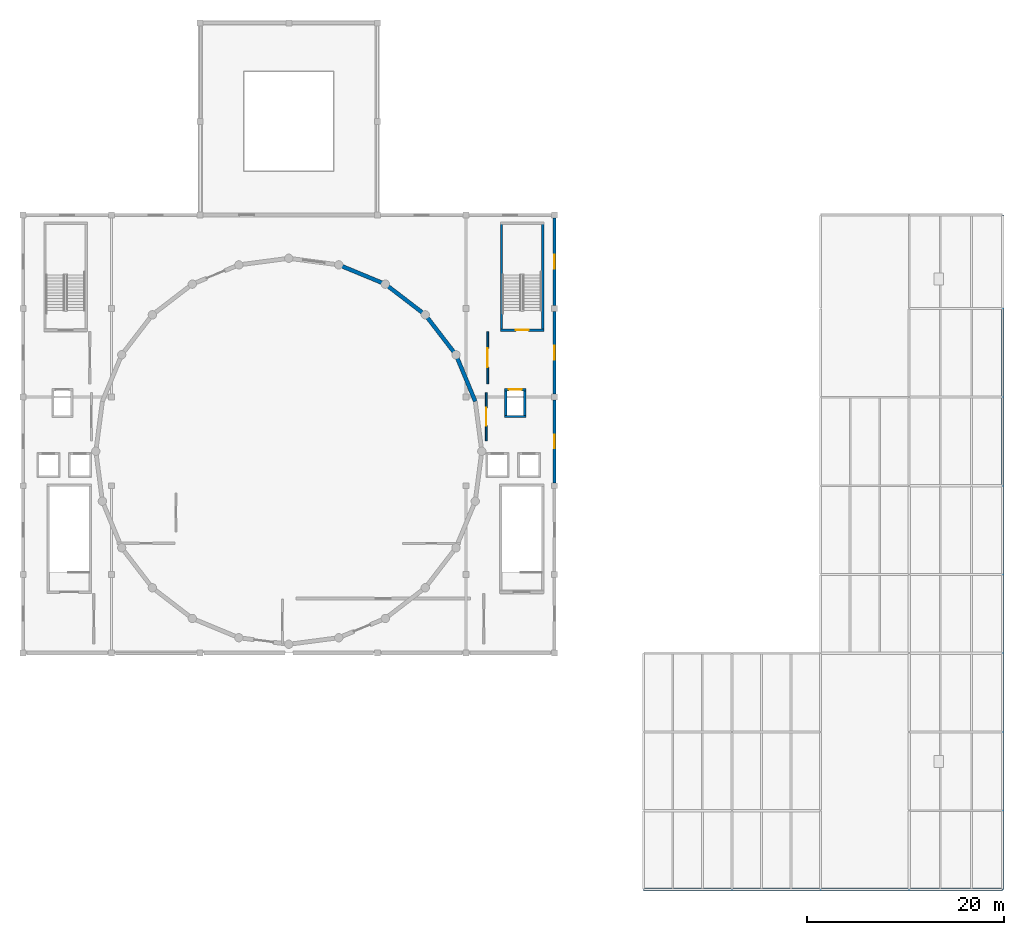
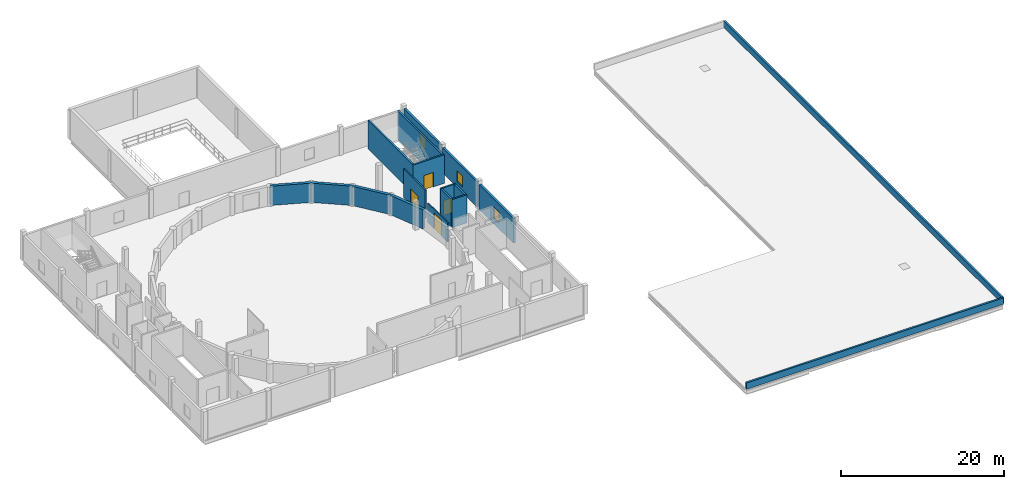
# One storey, part 6 of 10: 18 walls, 4 doors, 3 windows, 7 openings.
"""IFC4 building model written with IfcOpenShell, lengths in metres."""

from ifc_helpers import new_model, si_unit, direction, frame, frame_2d, origin, place, context, subcontext, project, spatial, rectangle, extrude, material, layer, layer_set, type_object, element, fill, save


model = new_model("IFC4")

# Units and contexts
model_context = context("Model", 3, precision=1e-05, world=origin(), true_north=direction((0.0, 1.0)))
body_context = subcontext(model_context, "Body", "Model", "MODEL_VIEW")
ifc_project = project(units=[si_unit("LENGTHUNIT", "METRE"), si_unit("AREAUNIT", "SQUARE_METRE"), si_unit("VOLUMEUNIT", "CUBIC_METRE"), si_unit("PLANEANGLEUNIT", "RADIAN"), si_unit("MASSUNIT", "GRAM", prefix="KILO")], contexts=[model_context])

# Site, building, storey
site_placement = place(None, origin())
site = spatial("IfcSite", under=ifc_project, at=site_placement, CompositionType="ELEMENT")
building_placement = place(site_placement, origin())
building = spatial("IfcBuilding", under=site, at=building_placement, Name="Marnock Terrace Opera House", CompositionType="ELEMENT")
storey_placement = place(building_placement, frame((0.0, 0.0, 23.699951171875)))
storey = spatial("IfcBuildingStorey", under=building, at=storey_placement, Name="L05", CompositionType="ELEMENT", Elevation=23.699951171875)

# Wall, opening, window
ifc_material_1 = material(Name="Basket Range sandstone ashlar masonry", Category="masonry")
ifc_layer_1 = layer(ifc_material_1, 0.31005859375)
ifc_layer_set_1 = layer_set([ifc_layer_1], Name="Basket Range sandstone ashlar masonry")
wall_type_1 = type_object("IfcWallType", Name="EW-ATTIC-310", PredefinedType="SOLIDWALL", material=ifc_layer_set_1)
wall_1_placement = place(storey_placement, frame((109.0, 57.2958984375, 0.0), z_axis=(0.0, 0.0, 1.0), x_axis=(0.0, 1.0, 0.0)))
wall_1 = element("IfcWall", 1, at=wall_1_placement, inside=storey, type_object=wall_type_1, Name="L05 Drum block E wall", PredefinedType="SOLIDWALL", context=body_context, shape_type="SweptSolid", body=[
    extrude(rectangle(XDim=8.408203125, YDim=0.31005859375, at=frame_2d((4.2041015625, 0.0))), origin(), (0.0, 0.0, 1.0), 3.72216796875),
])
opening_1_placement = place(wall_1_placement, frame((3.50390625, 0.0, 0.85009765625)))
opening_1 = element("IfcOpeningElement", 2, at=opening_1_placement, cuts=wall_1, Name="Opening WT-138", PredefinedType="OPENING", context=body_context, shape_type="SweptSolid", body=[
    extrude(rectangle(XDim=1.39990234375, YDim=1.64990234375, at=frame_2d((0.699951171875, 0.824951171875))), frame((0.0, 0.1650390625, 0.0), z_axis=(0.0, -1.0, 0.0), x_axis=(1.0, 0.0, 0.0)), (0.0, 0.0, 1.0), 0.330078125),
])
ifc_material_2 = material(Name="Double-glazed acoustic low-E laminated glass", Category="glass")
window_type = type_object("IfcWindowType", Name="WT-ATTIC-1400", PartitioningType="SINGLE_PANEL", PredefinedType="WINDOW", material=ifc_material_2)
window_1_placement = place(opening_1_placement, origin())
window_1 = element("IfcWindow", 3, at=window_1_placement, inside=storey, type_object=window_type, Name="L05 facade window EW-V1E-L05-57.1", OverallHeight=1.64990234375, OverallWidth=1.39990234375, PartitioningType="SINGLE_PANEL", PredefinedType="WINDOW", context=body_context, shape_type="SweptSolid", body=[
    extrude(rectangle(XDim=1.39990234375, YDim=1.64990234375, at=frame_2d((0.699951171875, 0.824951171875))), frame((0.0, 0.030029296875, 0.0), z_axis=(0.0, -1.0, 0.0), x_axis=(1.0, 0.0, 0.0)), (0.0, 0.0, 1.0), 0.06005859375),
])
fill(opening_1, window_1)

wall_2_placement = place(storey_placement, frame((109.0, 66.2958984375, 0.0), z_axis=(0.0, 0.0, 1.0), x_axis=(0.0, 1.0, 0.0)))
wall_2 = element("IfcWall", 4, at=wall_2_placement, inside=storey, type_object=wall_type_1, Name="L05 Drum block E wall", PredefinedType="SOLIDWALL", context=body_context, shape_type="SweptSolid", body=[
    extrude(rectangle(XDim=8.408203125, YDim=0.31005859375, at=frame_2d((4.2041015625, 0.0))), origin(), (0.0, 0.0, 1.0), 3.792724609375),
])
opening_2_placement = place(wall_2_placement, frame((3.50390625, 0.0, 0.85009765625)))
opening_2 = element("IfcOpeningElement", 5, at=opening_2_placement, cuts=wall_2, Name="Opening WT-138", PredefinedType="OPENING", context=body_context, shape_type="SweptSolid", body=[
    extrude(rectangle(XDim=1.39990234375, YDim=1.64990234375, at=frame_2d((0.699951171875, 0.824951171875))), frame((0.0, 0.1650390625, 0.0), z_axis=(0.0, -1.0, 0.0), x_axis=(1.0, 0.0, 0.0)), (0.0, 0.0, 1.0), 0.330078125),
])
window_2_placement = place(opening_2_placement, origin())
window_2 = element("IfcWindow", 6, at=window_2_placement, inside=storey, type_object=window_type, Name="L05 facade window EW-V1E-L05-66.1", OverallHeight=1.64990234375, OverallWidth=1.39990234375, PartitioningType="SINGLE_PANEL", PredefinedType="WINDOW", context=body_context, shape_type="SweptSolid", body=[
    extrude(rectangle(XDim=1.39990234375, YDim=1.64990234375, at=frame_2d((0.699951171875, 0.824951171875))), frame((0.0, 0.030029296875, 0.0), z_axis=(0.0, -1.0, 0.0), x_axis=(1.0, 0.0, 0.0)), (0.0, 0.0, 1.0), 0.06005859375),
])
fill(opening_2, window_2)

wall_3_placement = place(storey_placement, frame((109.0, 75.2958984375, 0.0), z_axis=(0.0, 0.0, 1.0), x_axis=(0.0, 1.0, 0.0)))
wall_3 = element("IfcWall", 7, at=wall_3_placement, inside=storey, type_object=wall_type_1, Name="L05 Drum block E wall", PredefinedType="SOLIDWALL", context=body_context, shape_type="SweptSolid", body=[
    extrude(rectangle(XDim=8.908203125, YDim=0.31005859375, at=frame_2d((4.4541015625, 0.0))), origin(), (0.0, 0.0, 1.0), 3.89453125),
])
opening_3_placement = place(wall_3_placement, frame((3.75390625, 0.0, 0.85009765625)))
opening_3 = element("IfcOpeningElement", 8, at=opening_3_placement, cuts=wall_3, Name="Opening WT-138", PredefinedType="OPENING", context=body_context, shape_type="SweptSolid", body=[
    extrude(rectangle(XDim=1.39990234375, YDim=1.64990234375, at=frame_2d((0.699951171875, 0.824951171875))), frame((0.0, 0.1650390625, 0.0), z_axis=(0.0, -1.0, 0.0), x_axis=(1.0, 0.0, 0.0)), (0.0, 0.0, 1.0), 0.330078125),
])
window_3_placement = place(opening_3_placement, origin())
window_3 = element("IfcWindow", 9, at=window_3_placement, inside=storey, type_object=window_type, Name="L05 facade window EW-V1E-L05-75.1", OverallHeight=1.64990234375, OverallWidth=1.39990234375, PartitioningType="SINGLE_PANEL", PredefinedType="WINDOW", context=body_context, shape_type="SweptSolid", body=[
    extrude(rectangle(XDim=1.39990234375, YDim=1.64990234375, at=frame_2d((0.699951171875, 0.824951171875))), frame((0.0, 0.030029296875, 0.0), z_axis=(0.0, -1.0, 0.0), x_axis=(1.0, 0.0, 0.0)), (0.0, 0.0, 1.0), 0.06005859375),
])
fill(opening_3, window_3)

# Walls
ifc_layer_2 = layer(ifc_material_1, 0.260009765625)
ifc_layer_set_2 = layer_set([ifc_layer_2], Name="Basket Range sandstone ashlar masonry")
wall_type_2 = type_object("IfcWallType", Name="EW-PARA-260", PredefinedType="PARAPET", material=ifc_layer_set_2)
wall_4_placement = place(storey_placement, frame((154.5, 16.0, 0.0), z_axis=(0.0, 0.0, 1.0), x_axis=(0.0, 1.0, 0.0)))
element("IfcWall", 10, at=wall_4_placement, inside=storey, type_object=wall_type_2, Name="Stone parapet PARA-V5-E", PredefinedType="PARAPET", context=body_context, shape_type="SweptSolid", body=[
    extrude(rectangle(XDim=68.5, YDim=0.260009765625, at=frame_2d((34.25, 0.0))), origin(), (0.0, 0.0, 1.0), 0.949951171875),
])
wall_5_placement = place(storey_placement, frame((118.0, 16.0, 0.0), z_axis=(0.0, 0.0, 1.0), x_axis=(1.0, 0.0, 0.0)))
element("IfcWall", 11, at=wall_5_placement, inside=storey, type_object=wall_type_2, Name="Stone parapet PARA-V5-S", PredefinedType="PARAPET", context=body_context, shape_type="SweptSolid", body=[
    extrude(rectangle(XDim=36.5, YDim=0.260009765625, at=frame_2d((18.25, 0.0))), origin(), (0.0, 0.0, 1.0), 0.949951171875),
])

# Wall, opening, door
ifc_material_3 = material(Name="Rendered acoustic concrete blockwork", Category="masonry")
ifc_layer_3 = layer(ifc_material_3, 0.195068359375)
ifc_layer_set_3 = layer_set([ifc_layer_3], Name="Rendered acoustic concrete blockwork")
wall_type_3 = type_object("IfcWallType", Name="IW-FIRE-195", PredefinedType="PARTITIONING", material=ifc_layer_set_3)
wall_6_placement = place(storey_placement, frame((102.199951171875, 67.35009765625, 0.0), z_axis=(0.0, 0.0, 1.0), x_axis=(0.0, 1.0, 0.0)))
wall_6 = element("IfcWall", 12, at=wall_6_placement, inside=storey, type_object=wall_type_3, Name="L05 C4 fire-rated lift and stair lobby wall", PredefinedType="PARTITIONING", context=body_context, shape_type="SweptSolid", body=[
    extrude(rectangle(XDim=5.2998046875, YDim=0.195068359375, at=frame_2d((2.64990234375, 0.0))), origin(), (0.0, 0.0, 1.0), 4.22998046875),
])
opening_4_placement = place(wall_6_placement, frame((1.699951171875, 0.0, 0.0)))
opening_4 = element("IfcOpeningElement", 13, at=opening_4_placement, cuts=wall_6, Name="Opening FD-C4-L05", PredefinedType="OPENING", context=body_context, shape_type="SweptSolid", body=[
    extrude(rectangle(XDim=1.89990234375, YDim=2.300048828125, at=frame_2d((0.949951171875, 1.14990234375))), frame((0.0, 0.107421875, 0.0), z_axis=(0.0, -1.0, 0.0), x_axis=(1.0, 0.0, 0.0)), (0.0, 0.0, 1.0), 0.215087890625),
])
ifc_material_4 = material(Name="Fire-rated acoustic timber-core door assembly", Category="wood")
door_type_1 = type_object("IfcDoorType", Name="DT-LOBBY-1900", OperationType="NOTDEFINED", PredefinedType="DOOR", material=ifc_material_4)
door_1_placement = place(opening_4_placement, origin())
door_1 = element("IfcDoor", 14, at=door_1_placement, inside=storey, type_object=door_type_1, Name="L05 C4 lobby self-closing smoke door", OperationType="SINGLE_SWING_RIGHT", OverallHeight=2.300048828125, OverallWidth=1.89990234375, PredefinedType="DOOR", context=body_context, shape_type="SweptSolid", body=[
    extrude(rectangle(XDim=1.89990234375, YDim=2.300048828125, at=frame_2d((0.949951171875, 1.14990234375))), frame((0.0, 0.02490234375, 0.0), z_axis=(0.0, -1.0, 0.0), x_axis=(1.0, 0.0, 0.0)), (0.0, 0.0, 1.0), 0.050048828125),
])
fill(opening_4, door_1)

ifc_material_5 = material(Name="Double-stud acoustic plasterboard with mineral-wool infill")
ifc_layer_4 = layer(ifc_material_5, 0.159912109375)
ifc_layer_set_4 = layer_set([ifc_layer_4], Name="Double-stud acoustic plasterboard with mineral-wool infill")
wall_type_4 = type_object("IfcWallType", Name="IW-PART-160", PredefinedType="PARTITIONING", material=ifc_layer_set_4)
wall_7_placement = place(storey_placement, frame((102.050048828125, 61.550048828125, 0.0), z_axis=(0.0, 0.0, 1.0), x_axis=(0.0, 1.0, 0.0)))
wall_7 = element("IfcWall", 15, at=wall_7_placement, inside=storey, type_object=wall_type_4, Name="L05 Drum Perimeter Acoustic Reverberation Chamber East acoustic partition wall", PredefinedType="PARTITIONING", context=body_context, shape_type="SweptSolid", body=[
    extrude(rectangle(XDim=4.89990234375, YDim=0.159912109375, at=frame_2d((2.449951171875, 0.0))), origin(), (0.0, 0.0, 1.0), 2.8701171875),
])
opening_5_placement = place(wall_7_placement, frame((1.5400390625, 0.0, 0.0)))
opening_5 = element("IfcOpeningElement", 16, at=opening_5_placement, cuts=wall_7, Name="Opening D-L05-04", PredefinedType="OPENING", context=body_context, shape_type="SweptSolid", body=[
    extrude(rectangle(XDim=1.820068359375, YDim=2.35009765625, at=frame_2d((0.91015625, 1.175048828125))), frame((0.0, 0.08984375, 0.0), z_axis=(0.0, -1.0, 0.0), x_axis=(1.0, 0.0, 0.0)), (0.0, 0.0, 1.0), 0.179931640625),
])
ifc_material_6 = material(Name="Solid-core Tasmanian oak acoustic door leaf")
door_type_2 = type_object("IfcDoorType", Name="DT-REHEARS-1820", OperationType="NOTDEFINED", PredefinedType="DOOR", material=ifc_material_6)
door_2_placement = place(opening_5_placement, origin())
door_2 = element("IfcDoor", 17, at=door_2_placement, inside=storey, type_object=door_type_2, Name="L05 Drum Perimeter Acoustic Reverberation Chamber East entrance door", OperationType="DOUBLE_DOOR_SINGLE_SWING", OverallHeight=2.35009765625, OverallWidth=1.820068359375, PredefinedType="DOOR", context=body_context, shape_type="SweptSolid", body=[
    extrude(rectangle(XDim=1.820068359375, YDim=2.35009765625, at=frame_2d((0.91015625, 1.175048828125))), frame((0.0, 0.02490234375, 0.0), z_axis=(0.0, -1.0, 0.0), x_axis=(1.0, 0.0, 0.0)), (0.0, 0.0, 1.0), 0.050048828125),
])
fill(opening_5, door_2)

ifc_layer_5 = layer(ifc_material_3, 0.22509765625)
ifc_layer_set_5 = layer_set([ifc_layer_5], Name="Rendered acoustic concrete blockwork")
wall_type_5 = type_object("IfcWallType", Name="IW-SHAFT-225", PredefinedType="SOLIDWALL", material=ifc_layer_set_5)
wall_8_placement = place(storey_placement, frame((103.927490234375, 66.760009765625, 0.0), z_axis=(0.0, 0.0, 1.0), x_axis=(1.0, 0.0, 0.0)))
wall_8 = element("IfcWall", 18, at=wall_8_placement, inside=storey, type_object=wall_type_5, Name="L05 Lift EL-02 front shaft wall", PredefinedType="SOLIDWALL", context=body_context, shape_type="SweptSolid", body=[
    extrude(rectangle(XDim=2.14501953125, YDim=0.22509765625, at=frame_2d((1.072509765625, 0.0))), origin(), (0.0, 0.0, 1.0), 4.22998046875),
])
opening_6_placement = place(wall_8_placement, frame((0.422607421875, 0.0, 0.0)))
opening_6 = element("IfcOpeningElement", 19, at=opening_6_placement, cuts=wall_8, Name="Opening LD-EL-02-L05", PredefinedType="OPENING", context=body_context, shape_type="SweptSolid", body=[
    extrude(rectangle(XDim=1.300048828125, YDim=2.25, at=frame_2d((0.64990234375, 1.125))), frame((0.0, 0.12255859375, 0.0), z_axis=(0.0, -1.0, 0.0), x_axis=(1.0, 0.0, 0.0)), (0.0, 0.0, 1.0), 0.2451171875),
])
ifc_material_7 = material(Name="Brushed stainless steel landing door assembly", Category="steel")
door_type_3 = type_object("IfcDoorType", Name="DT-LIFT-1300", OperationType="NOTDEFINED", PredefinedType="DOOR", material=ifc_material_7)
door_3_placement = place(opening_6_placement, origin())
door_3 = element("IfcDoor", 20, at=door_3_placement, inside=storey, type_object=door_type_3, Name="L05 Lift EL-02 sliding landing door", OperationType="DOUBLE_DOOR_SLIDING", OverallHeight=2.25, OverallWidth=1.300048828125, PredefinedType="DOOR", context=body_context, shape_type="SweptSolid", body=[
    extrude(rectangle(XDim=1.300048828125, YDim=2.25, at=frame_2d((0.64990234375, 1.125))), frame((0.0, 0.02490234375, 0.0), z_axis=(0.0, -1.0, 0.0), x_axis=(1.0, 0.0, 0.0)), (0.0, 0.0, 1.0), 0.050048828125),
])
fill(opening_6, door_3)

# Walls
wall_9_placement = place(storey_placement, frame((103.927490234375, 64.0400390625, 0.0), z_axis=(0.0, 0.0, 1.0), x_axis=(1.0, 0.0, 0.0)))
element("IfcWall", 21, at=wall_9_placement, inside=storey, type_object=wall_type_5, Name="L05 Lift EL-02 rear shaft wall", PredefinedType="SOLIDWALL", context=body_context, shape_type="SweptSolid", body=[
    extrude(rectangle(XDim=2.14501953125, YDim=0.22509765625, at=frame_2d((1.072509765625, 0.0))), origin(), (0.0, 0.0, 1.0), 4.22998046875),
])
for number, where, z_axis, x_axis, name in (
    (22, (104.0400390625, 64.0400390625, 0.0), (0.0, 0.0, 1.0), (0.0, 1.0, 0.0), "L05 Lift EL-02 west shaft wall"),
    (23, (105.9599609375, 64.0400390625, 0.0), (0.0, 0.0, 1.0), (0.0, 1.0, 0.0), "L05 Lift EL-02 east shaft wall"),
):
    element("IfcWall", number, at=place(storey_placement, frame(where, z_axis=z_axis, x_axis=x_axis)), inside=storey, type_object=wall_type_5, Name=name, PredefinedType="SOLIDWALL", context=body_context, shape_type="SweptSolid", body=[
        extrude(rectangle(XDim=2.719970703125, YDim=0.22509765625, at=frame_2d((1.35986328125, 0.0))), origin(), (0.0, 0.0, 1.0), 4.22998046875),
    ])

# Wall, opening, door
ifc_material_8 = material(Name="Concrete N40 (f'c = 40 MPa)", Category="concrete")
ifc_layer_6 = layer(ifc_material_8, 0.25)
ifc_layer_set_6 = layer_set([ifc_layer_6], Name="Concrete N40 (f'c = 40 MPa)")
wall_type_6 = type_object("IfcWallType", Name="SW-CORE-250", PredefinedType="SHEAR", material=ifc_layer_set_6)
wall_10_placement = place(storey_placement, frame((103.47509765625, 72.800048828125, 0.0), z_axis=(0.0, 0.0, 1.0), x_axis=(1.0, 0.0, 0.0)))
wall_10 = element("IfcWall", 24, at=wall_10_placement, inside=storey, type_object=wall_type_6, Name="L05 Core C4 FRL 120/120/120 shear wall S", PredefinedType="SHEAR", context=body_context, shape_type="SweptSolid", body=[
    extrude(rectangle(XDim=4.449951171875, YDim=0.25, at=frame_2d((2.22509765625, 0.0))), origin(), (0.0, 0.0, 1.0), 4.280029296875),
])
opening_7_placement = place(wall_10_placement, frame((1.574951171875, 0.0, 0.0)))
opening_7 = element("IfcOpeningElement", 25, at=opening_7_placement, cuts=wall_10, Name="Opening SD-C4-L05", PredefinedType="OPENING", context=body_context, shape_type="SweptSolid", body=[
    extrude(rectangle(XDim=1.300048828125, YDim=2.179931640625, at=frame_2d((0.64990234375, 1.08984375))), frame((0.0, 0.135009765625, 0.0), z_axis=(0.0, -1.0, 0.0), x_axis=(1.0, 0.0, 0.0)), (0.0, 0.0, 1.0), 0.27001953125),
])
door_type_4 = type_object("IfcDoorType", Name="DT-STAIR-1300", OperationType="NOTDEFINED", PredefinedType="DOOR", material=ifc_material_4)
door_4_placement = place(opening_7_placement, origin())
door_4 = element("IfcDoor", 26, at=door_4_placement, inside=storey, type_object=door_type_4, Name="L05 Stair ST-04 fire-isolated exit door", OperationType="SINGLE_SWING_LEFT", OverallHeight=2.179931640625, OverallWidth=1.300048828125, PredefinedType="DOOR", context=body_context, shape_type="SweptSolid", body=[
    extrude(rectangle(XDim=1.300048828125, YDim=2.179931640625, at=frame_2d((0.64990234375, 1.08984375))), frame((0.0, 0.02490234375, 0.0), z_axis=(0.0, -1.0, 0.0), x_axis=(1.0, 0.0, 0.0)), (0.0, 0.0, 1.0), 0.050048828125),
])
fill(opening_7, door_4)

# Walls
for number, where, z_axis, x_axis, name in (
    (27, (103.60009765625, 72.675048828125, 0.0), (0.0, 0.0, 1.0), (0.0, 1.0, 0.0), "L05 Core C4 FRL 120/120/120 shear wall W"),
    (28, (107.800048828125, 72.675048828125, 0.0), (0.0, 0.0, 1.0), (0.0, 1.0, 0.0), "L05 Core C4 FRL 120/120/120 shear wall E"),
):
    element("IfcWall", number, at=place(storey_placement, frame(where, z_axis=z_axis, x_axis=x_axis)), inside=storey, type_object=wall_type_6, Name=name, PredefinedType="SHEAR", context=body_context, shape_type="SweptSolid", body=[
        extrude(rectangle(XDim=11.08984375, YDim=0.25, at=frame_2d((5.544921875, 0.0))), origin(), (0.0, 0.0, 1.0), 4.280029296875),
    ])
ifc_material_9 = material(Name="Concrete N50 (f'c = 50 MPa)", Category="concrete")
ifc_layer_7 = layer(ifc_material_9, 0.39990234375)
ifc_layer_set_7 = layer_set([ifc_layer_7], Name="Concrete N50 (f'c = 50 MPa)")
wall_type_7 = type_object("IfcWallType", Name="SW-DRUM-400", PredefinedType="SHEAR", material=ifc_layer_set_7)
for number, where, z_axis, x_axis, name in (
    (29, (100.931884765625, 65.572998046875, 0.0), (0.0, 0.0, 1.0), (-0.382642581018, 0.923896452635, 0.0), "L05 cylindrical auditorium drum shear wall 2"),
    (30, (98.97412109375, 70.300048828125, 0.0), (0.0, 0.0, 1.0), (-0.608857194409, 0.793279847731, 0.0), "L05 cylindrical auditorium drum shear wall 3"),
    (31, (95.85888671875, 74.35888671875, 0.0), (0.0, 0.0, 1.0), (-0.793279847731, 0.608857194409, 0.0), "L05 cylindrical auditorium drum shear wall 4"),
    (32, (91.800048828125, 77.47412109375, 0.0), (0.0, 0.0, 1.0), (-0.923896452635, 0.382642581018, 0.0), "L05 cylindrical auditorium drum shear wall 5"),
):
    element("IfcWall", number, at=place(storey_placement, frame(where, z_axis=z_axis, x_axis=x_axis)), inside=storey, type_object=wall_type_7, Name=name, PredefinedType="SHEAR", context=body_context, shape_type="SweptSolid", body=[
        extrude(rectangle(XDim=5.116455078125, YDim=0.39990234375, at=frame_2d((2.55810546875, 0.0))), origin(), (0.0, 0.0, 1.0), 2.900146484375),
    ])

save(model, "model.ifc")
